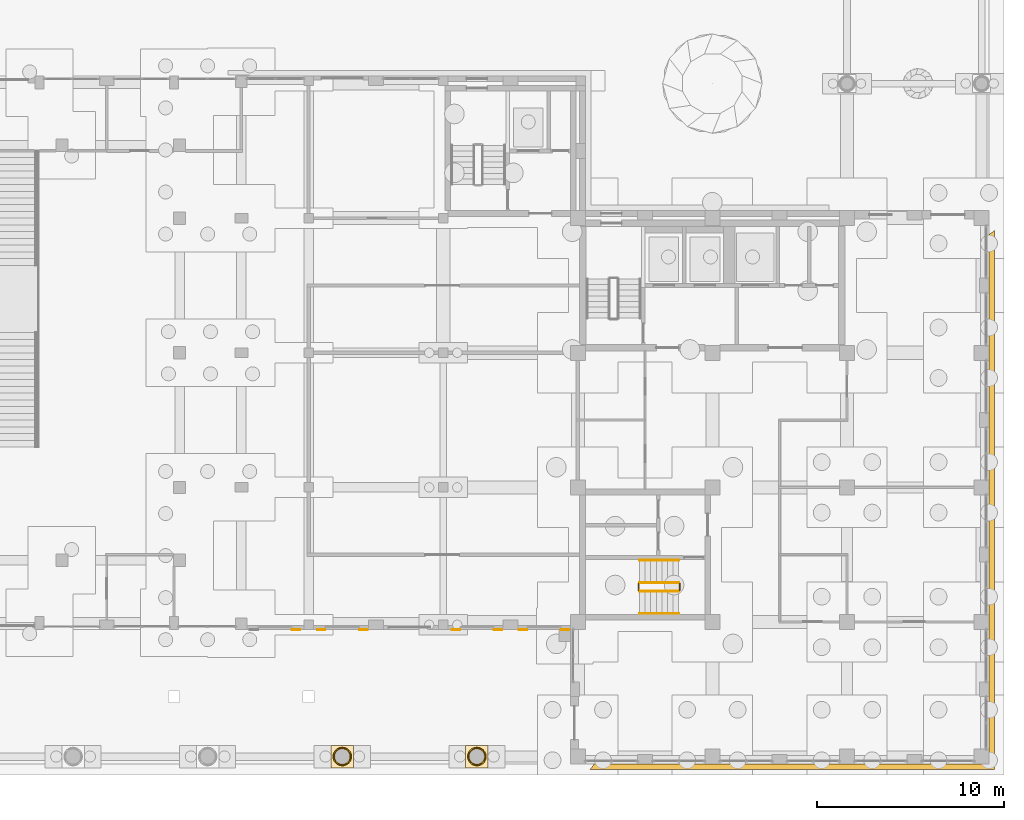
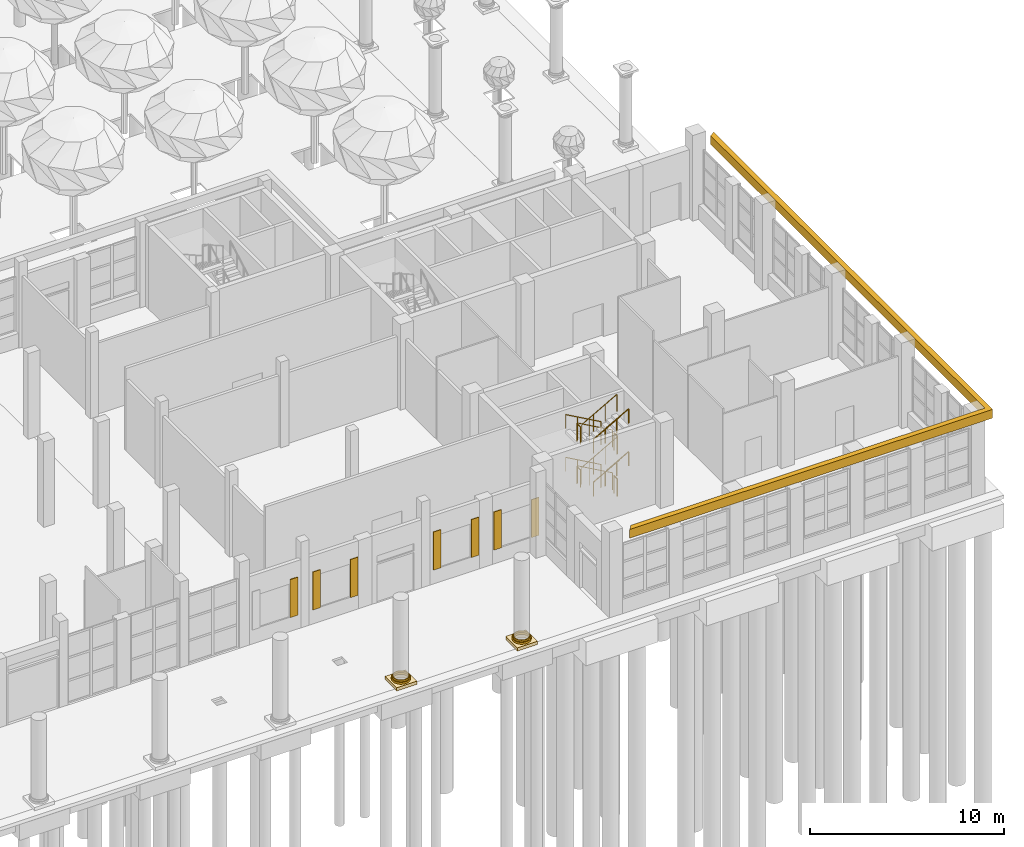
# One storey, part 62 of 80: 12 railings, 7 coverings, 7 shading devices.
"""IFC4 building model written with IfcOpenShell, lengths in metres."""

from ifc_helpers import new_model, si_unit, direction, frame, origin, origin_2d, place, context, subcontext, project, spatial, polyline, rectangle, circle, outline, extrude, material, layer, layer_set, type_object, element, save


model = new_model("IFC4")

# Units and contexts
model_context = context("Model", 3, precision=1e-05, world=origin(), true_north=direction((0.0, 1.0)))
body_context = subcontext(model_context, "Body", "Model", "MODEL_VIEW")
ifc_project = project(units=[si_unit("LENGTHUNIT", "METRE"), si_unit("AREAUNIT", "SQUARE_METRE"), si_unit("VOLUMEUNIT", "CUBIC_METRE"), si_unit("PLANEANGLEUNIT", "RADIAN"), si_unit("MASSUNIT", "GRAM", prefix="KILO")], contexts=[model_context])

# Site, building, storey
site_placement = place(None, origin())
site = spatial("IfcSite", under=ifc_project, at=site_placement, CompositionType="ELEMENT")
building_placement = place(site_placement, origin())
building = spatial("IfcBuilding", under=site, at=building_placement, Name="Ussher Court Research Institute", CompositionType="ELEMENT")
storey_placement = place(building_placement, origin())
storey = spatial("IfcBuildingStorey", under=building, at=storey_placement, Name="L00", CompositionType="ELEMENT", Elevation=0.0)

# Coverings
ifc_material_1 = material(Name="Limestone cornice", Category="masonry")
covering_type_1 = type_object("IfcCoveringType", Name="Column base fillet 800 896x100", PredefinedType="CLADDING", material=ifc_material_1)
covering_1_placement = place(storey_placement, frame((0.0, 0.0, 0.320068359375)))
element("IfcCovering", 1, at=covering_1_placement, inside=storey, type_object=covering_type_1, Name="Column base CC15", PredefinedType="CLADDING", context=body_context, shape_type="SweptSolid", body=[
    extrude(outline(polyline([(70.048095703125, 4.0), (70.044189453125, 4.05859375), (70.03271484375, 4.115966796875), (70.013916015625, 4.17138671875), (69.988037109375, 4.22412109375), (69.955322265625, 4.272705078125), (69.916748046875, 4.31689453125), (69.872802734375, 4.35546875), (69.823974609375, 4.387939453125), (69.771484375, 4.413818359375), (69.716064453125, 4.4326171875), (69.658447265625, 4.444091796875), (69.60009765625, 4.447998046875), (69.54150390625, 4.444091796875), (69.48388671875, 4.4326171875), (69.4287109375, 4.413818359375), (69.3759765625, 4.387939453125), (69.327392578125, 4.35546875), (69.283203125, 4.31689453125), (69.24462890625, 4.272705078125), (69.2119140625, 4.22412109375), (69.18603515625, 4.17138671875), (69.167236328125, 4.115966796875), (69.15576171875, 4.05859375), (69.152099609375, 4.0), (69.15576171875, 3.94140625), (69.167236328125, 3.884033203125), (69.18603515625, 3.82861328125), (69.2119140625, 3.77587890625), (69.24462890625, 3.727294921875), (69.283203125, 3.68310546875), (69.327392578125, 3.64453125), (69.3759765625, 3.612060546875), (69.4287109375, 3.586181640625), (69.48388671875, 3.5673828125), (69.54150390625, 3.555908203125), (69.60009765625, 3.552001953125), (69.658447265625, 3.555908203125), (69.716064453125, 3.5673828125), (69.771484375, 3.586181640625), (69.823974609375, 3.612060546875), (69.872802734375, 3.64453125), (69.916748046875, 3.68310546875), (69.955322265625, 3.727294921875), (69.988037109375, 3.77587890625), (70.013916015625, 3.82861328125), (70.03271484375, 3.884033203125), (70.044189453125, 3.94140625), (70.048095703125, 4.0)]), holes=[polyline([(70.0009765625, 4.0), (69.997314453125, 4.05224609375), (69.9873046875, 4.103759765625), (69.97021484375, 4.1533203125), (69.947265625, 4.200439453125), (69.91796875, 4.243896484375), (69.88330078125, 4.283447265625), (69.843994140625, 4.318115234375), (69.80029296875, 4.34716796875), (69.75341796875, 4.370361328125), (69.70361328125, 4.38720703125), (69.65234375, 4.3974609375), (69.60009765625, 4.40087890625), (69.547607421875, 4.3974609375), (69.496337890625, 4.38720703125), (69.446533203125, 4.370361328125), (69.399658203125, 4.34716796875), (69.35595703125, 4.318115234375), (69.316650390625, 4.283447265625), (69.281982421875, 4.243896484375), (69.252685546875, 4.200439453125), (69.229736328125, 4.1533203125), (69.212890625, 4.103759765625), (69.20263671875, 4.05224609375), (69.19921875, 4.0), (69.20263671875, 3.94775390625), (69.212890625, 3.896240234375), (69.229736328125, 3.8466796875), (69.252685546875, 3.799560546875), (69.281982421875, 3.756103515625), (69.316650390625, 3.716552734375), (69.35595703125, 3.681884765625), (69.399658203125, 3.65283203125), (69.446533203125, 3.629638671875), (69.496337890625, 3.61279296875), (69.547607421875, 3.6025390625), (69.60009765625, 3.59912109375), (69.65234375, 3.6025390625), (69.70361328125, 3.61279296875), (69.75341796875, 3.629638671875), (69.80029296875, 3.65283203125), (69.843994140625, 3.681884765625), (69.88330078125, 3.716552734375), (69.91796875, 3.756103515625), (69.947265625, 3.799560546875), (69.97021484375, 3.8466796875), (69.9873046875, 3.896240234375), (69.997314453125, 3.94775390625), (70.0009765625, 4.0)])]), origin(), (0.0, 0.0, 1.0), 0.099853515625),
])
covering_2_placement = place(storey_placement, frame((0.0, 0.0, 0.320068359375)))
element("IfcCovering", 2, at=covering_2_placement, inside=storey, type_object=covering_type_1, Name="Column base CC15", PredefinedType="CLADDING", context=body_context, shape_type="SweptSolid", body=[
    extrude(outline(polyline([(77.248046875, 4.0), (77.244140625, 4.05859375), (77.232666015625, 4.115966796875), (77.2138671875, 4.17138671875), (77.18798828125, 4.22412109375), (77.155517578125, 4.272705078125), (77.11669921875, 4.31689453125), (77.07275390625, 4.35546875), (77.02392578125, 4.387939453125), (76.971435546875, 4.413818359375), (76.916015625, 4.4326171875), (76.8583984375, 4.444091796875), (76.800048828125, 4.447998046875), (76.741455078125, 4.444091796875), (76.68408203125, 4.4326171875), (76.628662109375, 4.413818359375), (76.575927734375, 4.387939453125), (76.52734375, 4.35546875), (76.483154296875, 4.31689453125), (76.444580078125, 4.272705078125), (76.412109375, 4.22412109375), (76.385986328125, 4.17138671875), (76.3671875, 4.115966796875), (76.355712890625, 4.05859375), (76.35205078125, 4.0), (76.355712890625, 3.94140625), (76.3671875, 3.884033203125), (76.385986328125, 3.82861328125), (76.412109375, 3.77587890625), (76.444580078125, 3.727294921875), (76.483154296875, 3.68310546875), (76.52734375, 3.64453125), (76.575927734375, 3.612060546875), (76.628662109375, 3.586181640625), (76.68408203125, 3.5673828125), (76.741455078125, 3.555908203125), (76.800048828125, 3.552001953125), (76.8583984375, 3.555908203125), (76.916015625, 3.5673828125), (76.971435546875, 3.586181640625), (77.02392578125, 3.612060546875), (77.07275390625, 3.64453125), (77.11669921875, 3.68310546875), (77.155517578125, 3.727294921875), (77.18798828125, 3.77587890625), (77.2138671875, 3.82861328125), (77.232666015625, 3.884033203125), (77.244140625, 3.94140625), (77.248046875, 4.0)]), holes=[polyline([(77.200927734375, 4.0), (77.197509765625, 4.05224609375), (77.187255859375, 4.103759765625), (77.17041015625, 4.1533203125), (77.147216796875, 4.200439453125), (77.117919921875, 4.243896484375), (77.08349609375, 4.283447265625), (77.0439453125, 4.318115234375), (77.00048828125, 4.34716796875), (76.953369140625, 4.370361328125), (76.90380859375, 4.38720703125), (76.852294921875, 4.3974609375), (76.800048828125, 4.40087890625), (76.747802734375, 4.3974609375), (76.6962890625, 4.38720703125), (76.646484375, 4.370361328125), (76.599609375, 4.34716796875), (76.555908203125, 4.318115234375), (76.5166015625, 4.283447265625), (76.48193359375, 4.243896484375), (76.452880859375, 4.200439453125), (76.4296875, 4.1533203125), (76.412841796875, 4.103759765625), (76.402587890625, 4.05224609375), (76.399169921875, 4.0), (76.402587890625, 3.94775390625), (76.412841796875, 3.896240234375), (76.4296875, 3.8466796875), (76.452880859375, 3.799560546875), (76.48193359375, 3.756103515625), (76.5166015625, 3.716552734375), (76.555908203125, 3.681884765625), (76.599609375, 3.65283203125), (76.646484375, 3.629638671875), (76.6962890625, 3.61279296875), (76.747802734375, 3.6025390625), (76.800048828125, 3.59912109375), (76.852294921875, 3.6025390625), (76.90380859375, 3.61279296875), (76.953369140625, 3.629638671875), (77.00048828125, 3.65283203125), (77.0439453125, 3.681884765625), (77.08349609375, 3.716552734375), (77.117919921875, 3.756103515625), (77.147216796875, 3.799560546875), (77.17041015625, 3.8466796875), (77.187255859375, 3.896240234375), (77.197509765625, 3.94775390625), (77.200927734375, 4.0)])]), origin(), (0.0, 0.0, 1.0), 0.099853515625),
])
ifc_material_2 = material(Name="Limestone cornice", Category="masonry")
covering_type_2 = type_object("IfcCoveringType", Name="Column base torus 800 1000x120", PredefinedType="CLADDING", material=ifc_material_2)
covering_3_placement = place(storey_placement, frame((0.0, 0.0, 0.199951171875)))
element("IfcCovering", 3, at=covering_3_placement, inside=storey, type_object=covering_type_2, Name="Column base CC14", PredefinedType="CLADDING", context=body_context, shape_type="SweptSolid", body=[
    extrude(outline(polyline([(70.10009765625, 4.0), (70.095703125, 4.065185546875), (70.0830078125, 4.12939453125), (70.06201171875, 4.19140625), (70.032958984375, 4.25), (69.99658203125, 4.304443359375), (69.95361328125, 4.353515625), (69.904296875, 4.396728515625), (69.85009765625, 4.43310546875), (69.791259765625, 4.4619140625), (69.7294921875, 4.48291015625), (69.665283203125, 4.49560546875), (69.60009765625, 4.5), (69.53466796875, 4.49560546875), (69.470703125, 4.48291015625), (69.40869140625, 4.4619140625), (69.35009765625, 4.43310546875), (69.295654296875, 4.396728515625), (69.246337890625, 4.353515625), (69.203369140625, 4.304443359375), (69.1669921875, 4.25), (69.13818359375, 4.19140625), (69.116943359375, 4.12939453125), (69.104248046875, 4.065185546875), (69.10009765625, 4.0), (69.104248046875, 3.934814453125), (69.116943359375, 3.87060546875), (69.13818359375, 3.80859375), (69.1669921875, 3.75), (69.203369140625, 3.695556640625), (69.246337890625, 3.646484375), (69.295654296875, 3.603271484375), (69.35009765625, 3.56689453125), (69.40869140625, 3.5380859375), (69.470703125, 3.51708984375), (69.53466796875, 3.50439453125), (69.60009765625, 3.5), (69.665283203125, 3.50439453125), (69.7294921875, 3.51708984375), (69.791259765625, 3.5380859375), (69.85009765625, 3.56689453125), (69.904296875, 3.603271484375), (69.95361328125, 3.646484375), (69.99658203125, 3.695556640625), (70.032958984375, 3.75), (70.06201171875, 3.80859375), (70.0830078125, 3.87060546875), (70.095703125, 3.934814453125), (70.10009765625, 4.0)]), holes=[polyline([(70.0009765625, 4.0), (69.997314453125, 4.05224609375), (69.9873046875, 4.103759765625), (69.97021484375, 4.1533203125), (69.947265625, 4.200439453125), (69.91796875, 4.243896484375), (69.88330078125, 4.283447265625), (69.843994140625, 4.318115234375), (69.80029296875, 4.34716796875), (69.75341796875, 4.370361328125), (69.70361328125, 4.38720703125), (69.65234375, 4.3974609375), (69.60009765625, 4.40087890625), (69.547607421875, 4.3974609375), (69.496337890625, 4.38720703125), (69.446533203125, 4.370361328125), (69.399658203125, 4.34716796875), (69.35595703125, 4.318115234375), (69.316650390625, 4.283447265625), (69.281982421875, 4.243896484375), (69.252685546875, 4.200439453125), (69.229736328125, 4.1533203125), (69.212890625, 4.103759765625), (69.20263671875, 4.05224609375), (69.19921875, 4.0), (69.20263671875, 3.94775390625), (69.212890625, 3.896240234375), (69.229736328125, 3.8466796875), (69.252685546875, 3.799560546875), (69.281982421875, 3.756103515625), (69.316650390625, 3.716552734375), (69.35595703125, 3.681884765625), (69.399658203125, 3.65283203125), (69.446533203125, 3.629638671875), (69.496337890625, 3.61279296875), (69.547607421875, 3.6025390625), (69.60009765625, 3.59912109375), (69.65234375, 3.6025390625), (69.70361328125, 3.61279296875), (69.75341796875, 3.629638671875), (69.80029296875, 3.65283203125), (69.843994140625, 3.681884765625), (69.88330078125, 3.716552734375), (69.91796875, 3.756103515625), (69.947265625, 3.799560546875), (69.97021484375, 3.8466796875), (69.9873046875, 3.896240234375), (69.997314453125, 3.94775390625), (70.0009765625, 4.0)])]), origin(), (0.0, 0.0, 1.0), 0.1201171875),
])
covering_4_placement = place(storey_placement, frame((0.0, 0.0, 0.199951171875)))
element("IfcCovering", 4, at=covering_4_placement, inside=storey, type_object=covering_type_2, Name="Column base CC14", PredefinedType="CLADDING", context=body_context, shape_type="SweptSolid", body=[
    extrude(outline(polyline([(77.300048828125, 4.0), (77.295654296875, 4.065185546875), (77.282958984375, 4.12939453125), (77.261962890625, 4.19140625), (77.23291015625, 4.25), (77.19677734375, 4.304443359375), (77.153564453125, 4.353515625), (77.1044921875, 4.396728515625), (77.050048828125, 4.43310546875), (76.9912109375, 4.4619140625), (76.929443359375, 4.48291015625), (76.865234375, 4.49560546875), (76.800048828125, 4.5), (76.734619140625, 4.49560546875), (76.670654296875, 4.48291015625), (76.608642578125, 4.4619140625), (76.550048828125, 4.43310546875), (76.49560546875, 4.396728515625), (76.4462890625, 4.353515625), (76.4033203125, 4.304443359375), (76.366943359375, 4.25), (76.338134765625, 4.19140625), (76.31689453125, 4.12939453125), (76.30419921875, 4.065185546875), (76.300048828125, 4.0), (76.30419921875, 3.934814453125), (76.31689453125, 3.87060546875), (76.338134765625, 3.80859375), (76.366943359375, 3.75), (76.4033203125, 3.695556640625), (76.4462890625, 3.646484375), (76.49560546875, 3.603271484375), (76.550048828125, 3.56689453125), (76.608642578125, 3.5380859375), (76.670654296875, 3.51708984375), (76.734619140625, 3.50439453125), (76.800048828125, 3.5), (76.865234375, 3.50439453125), (76.929443359375, 3.51708984375), (76.9912109375, 3.5380859375), (77.050048828125, 3.56689453125), (77.1044921875, 3.603271484375), (77.153564453125, 3.646484375), (77.19677734375, 3.695556640625), (77.23291015625, 3.75), (77.261962890625, 3.80859375), (77.282958984375, 3.87060546875), (77.295654296875, 3.934814453125), (77.300048828125, 4.0)]), holes=[polyline([(77.200927734375, 4.0), (77.197509765625, 4.05224609375), (77.187255859375, 4.103759765625), (77.17041015625, 4.1533203125), (77.147216796875, 4.200439453125), (77.117919921875, 4.243896484375), (77.08349609375, 4.283447265625), (77.0439453125, 4.318115234375), (77.00048828125, 4.34716796875), (76.953369140625, 4.370361328125), (76.90380859375, 4.38720703125), (76.852294921875, 4.3974609375), (76.800048828125, 4.40087890625), (76.747802734375, 4.3974609375), (76.6962890625, 4.38720703125), (76.646484375, 4.370361328125), (76.599609375, 4.34716796875), (76.555908203125, 4.318115234375), (76.5166015625, 4.283447265625), (76.48193359375, 4.243896484375), (76.452880859375, 4.200439453125), (76.4296875, 4.1533203125), (76.412841796875, 4.103759765625), (76.402587890625, 4.05224609375), (76.399169921875, 4.0), (76.402587890625, 3.94775390625), (76.412841796875, 3.896240234375), (76.4296875, 3.8466796875), (76.452880859375, 3.799560546875), (76.48193359375, 3.756103515625), (76.5166015625, 3.716552734375), (76.555908203125, 3.681884765625), (76.599609375, 3.65283203125), (76.646484375, 3.629638671875), (76.6962890625, 3.61279296875), (76.747802734375, 3.6025390625), (76.800048828125, 3.59912109375), (76.852294921875, 3.6025390625), (76.90380859375, 3.61279296875), (76.953369140625, 3.629638671875), (77.00048828125, 3.65283203125), (77.0439453125, 3.681884765625), (77.08349609375, 3.716552734375), (77.117919921875, 3.756103515625), (77.147216796875, 3.799560546875), (77.17041015625, 3.8466796875), (77.187255859375, 3.896240234375), (77.197509765625, 3.94775390625), (77.200927734375, 4.0)])]), origin(), (0.0, 0.0, 1.0), 0.1201171875),
])
ifc_material_3 = material(Name="Limestone cornice", Category="masonry")
covering_type_3 = type_object("IfcCoveringType", Name="Column plinth 800 1200x200", PredefinedType="CLADDING", material=ifc_material_3)
covering_5_placement = place(storey_placement, origin())
element("IfcCovering", 5, at=covering_5_placement, inside=storey, type_object=covering_type_3, Name="Column base CC13", PredefinedType="CLADDING", context=body_context, shape_type="SweptSolid", body=[
    extrude(outline(polyline([(70.199951171875, 3.39990234375), (70.199951171875, 4.60009765625), (69.0, 4.60009765625), (69.0, 3.39990234375), (70.199951171875, 3.39990234375)]), holes=[polyline([(70.0009765625, 4.0), (69.997314453125, 4.05224609375), (69.9873046875, 4.103759765625), (69.97021484375, 4.1533203125), (69.947265625, 4.200439453125), (69.91796875, 4.243896484375), (69.88330078125, 4.283447265625), (69.843994140625, 4.318115234375), (69.80029296875, 4.34716796875), (69.75341796875, 4.370361328125), (69.70361328125, 4.38720703125), (69.65234375, 4.3974609375), (69.60009765625, 4.40087890625), (69.547607421875, 4.3974609375), (69.496337890625, 4.38720703125), (69.446533203125, 4.370361328125), (69.399658203125, 4.34716796875), (69.35595703125, 4.318115234375), (69.316650390625, 4.283447265625), (69.281982421875, 4.243896484375), (69.252685546875, 4.200439453125), (69.229736328125, 4.1533203125), (69.212890625, 4.103759765625), (69.20263671875, 4.05224609375), (69.19921875, 4.0), (69.20263671875, 3.94775390625), (69.212890625, 3.896240234375), (69.229736328125, 3.8466796875), (69.252685546875, 3.799560546875), (69.281982421875, 3.756103515625), (69.316650390625, 3.716552734375), (69.35595703125, 3.681884765625), (69.399658203125, 3.65283203125), (69.446533203125, 3.629638671875), (69.496337890625, 3.61279296875), (69.547607421875, 3.6025390625), (69.60009765625, 3.59912109375), (69.65234375, 3.6025390625), (69.70361328125, 3.61279296875), (69.75341796875, 3.629638671875), (69.80029296875, 3.65283203125), (69.843994140625, 3.681884765625), (69.88330078125, 3.716552734375), (69.91796875, 3.756103515625), (69.947265625, 3.799560546875), (69.97021484375, 3.8466796875), (69.9873046875, 3.896240234375), (69.997314453125, 3.94775390625), (70.0009765625, 4.0)])]), origin(), (0.0, 0.0, 1.0), 0.199951171875),
])
covering_6_placement = place(storey_placement, origin())
element("IfcCovering", 6, at=covering_6_placement, inside=storey, type_object=covering_type_3, Name="Column base CC13", PredefinedType="CLADDING", context=body_context, shape_type="SweptSolid", body=[
    extrude(outline(polyline([(77.39990234375, 3.39990234375), (77.39990234375, 4.60009765625), (76.199951171875, 4.60009765625), (76.199951171875, 3.39990234375), (77.39990234375, 3.39990234375)]), holes=[polyline([(77.200927734375, 4.0), (77.197509765625, 4.05224609375), (77.187255859375, 4.103759765625), (77.17041015625, 4.1533203125), (77.147216796875, 4.200439453125), (77.117919921875, 4.243896484375), (77.08349609375, 4.283447265625), (77.0439453125, 4.318115234375), (77.00048828125, 4.34716796875), (76.953369140625, 4.370361328125), (76.90380859375, 4.38720703125), (76.852294921875, 4.3974609375), (76.800048828125, 4.40087890625), (76.747802734375, 4.3974609375), (76.6962890625, 4.38720703125), (76.646484375, 4.370361328125), (76.599609375, 4.34716796875), (76.555908203125, 4.318115234375), (76.5166015625, 4.283447265625), (76.48193359375, 4.243896484375), (76.452880859375, 4.200439453125), (76.4296875, 4.1533203125), (76.412841796875, 4.103759765625), (76.402587890625, 4.05224609375), (76.399169921875, 4.0), (76.402587890625, 3.94775390625), (76.412841796875, 3.896240234375), (76.4296875, 3.8466796875), (76.452880859375, 3.799560546875), (76.48193359375, 3.756103515625), (76.5166015625, 3.716552734375), (76.555908203125, 3.681884765625), (76.599609375, 3.65283203125), (76.646484375, 3.629638671875), (76.6962890625, 3.61279296875), (76.747802734375, 3.6025390625), (76.800048828125, 3.59912109375), (76.852294921875, 3.6025390625), (76.90380859375, 3.61279296875), (76.953369140625, 3.629638671875), (77.00048828125, 3.65283203125), (77.0439453125, 3.681884765625), (77.08349609375, 3.716552734375), (77.117919921875, 3.756103515625), (77.147216796875, 3.799560546875), (77.17041015625, 3.8466796875), (77.187255859375, 3.896240234375), (77.197509765625, 3.94775390625), (77.200927734375, 4.0)])]), origin(), (0.0, 0.0, 1.0), 0.199951171875),
])

# Shading devices
ifc_material_4 = material(Name="Timber louvred shutter", Category="wood")
ifc_layer = layer(ifc_material_4, 0.0400390625)
ifc_layer_set = layer_set([ifc_layer], Name="Timber louvred shutter")
shading_device_type = type_object("IfcShadingDeviceType", Name="Louvred shutter leaf 450x2400", PredefinedType="USERDEFINED", material=ifc_layer_set)
for number, where, z_axis, x_axis, name in (
    (7, (81.52490234375, 10.780029296875, 0.900146484375), (0.0, 0.0, 1.0), (-1.0, 0.0, 0.0), "Shutter LV2 L00"),
    (8, (79.27490234375, 10.780029296875, 0.900146484375), (0.0, 0.0, 1.0), (-1.0, 0.0, 0.0), "Shutter LV2 L00"),
    (9, (77.925048828125, 10.780029296875, 0.900146484375), (0.0, 0.0, 1.0), (-1.0, 0.0, 0.0), "Shutter LV2 L00"),
    (10, (75.675048828125, 10.780029296875, 0.900146484375), (0.0, 0.0, 1.0), (-1.0, 0.0, 0.0), "Shutter LV2 L00"),
    (11, (70.72509765625, 10.780029296875, 0.900146484375), (0.0, 0.0, 1.0), (-1.0, 0.0, 0.0), "Shutter LV2 L00"),
    (12, (68.47509765625, 10.780029296875, 0.900146484375), (0.0, 0.0, 1.0), (-1.0, 0.0, 0.0), "Shutter LV2 L00"),
    (13, (67.125, 10.780029296875, 0.900146484375), (0.0, 0.0, 1.0), (-1.0, 0.0, 0.0), "Shutter LV2 L00"),
):
    element("IfcShadingDevice", number, at=place(storey_placement, frame(where, z_axis=z_axis, x_axis=x_axis)), inside=storey, type_object=shading_device_type, Name=name, ObjectType="SHUTTER", PredefinedType="USERDEFINED", context=body_context, shape_type="SweptSolid", body=[
        extrude(rectangle(XDim=0.449951171875, YDim=0.0400390625, at=origin_2d()), origin(), (0.0, 0.0, 1.0), 2.39990234375),
    ])

# Railings
ifc_material_5 = material(Name="Painted steel balustrade", Category="steel")
railing_type_1 = type_object("IfcRailingType", Name="Stair guard 1100 steel balustrade", PredefinedType="GUARDRAIL", material=ifc_material_5)
railing_1_placement = place(storey_placement, frame((87.60009765625, 13.300048828125, 0.168701171875)))
element("IfcRailing", 14, at=railing_1_placement, inside=storey, type_object=railing_type_1, Name="L00 T2 stair guard 1", PredefinedType="GUARDRAIL", context=body_context, shape_type="SweptSolid", body=[
    extrude(circle(Radius=0.02392578125, at=origin_2d()), frame((0.0, 0.0, 1.076171875), z_axis=(-0.871559301308, 0.0, 0.490290102189), x_axis=(0.0, -1.0, 0.0)), (0.0, 0.0, 1.0), 2.40966796875),
    extrude(circle(Radius=0.02099609375, at=origin_2d()), origin(), (0.0, 0.0, 1.0), 1.052001953125),
    extrude(circle(Radius=0.02099609375, at=origin_2d()), frame((-0.699951171875, 0.0, 0.393798828125)), (0.0, 0.0, 1.0), 1.052001953125),
    extrude(circle(Radius=0.02099609375, at=origin_2d()), frame((-1.400146484375, 0.0, 0.78759765625)), (0.0, 0.0, 1.0), 1.052001953125),
    extrude(circle(Radius=0.02099609375, at=origin_2d()), frame((-2.10009765625, 0.0, 1.181396484375)), (0.0, 0.0, 1.0), 1.052001953125),
])
railing_2_placement = place(storey_placement, frame((85.449951171875, 13.25, 1.35009765625)))
element("IfcRailing", 15, at=railing_2_placement, inside=storey, type_object=railing_type_1, Name="L00 T2 stair guard 2", PredefinedType="GUARDRAIL", context=body_context, shape_type="SweptSolid", body=[
    extrude(circle(Radius=0.02392578125, at=origin_2d()), frame((0.0, 0.0, 1.076171875), z_axis=(0.0, -1.0, 0.0), x_axis=(1.0, 0.0, 0.0)), (0.0, 0.0, 1.0), 0.35009765625),
    extrude(circle(Radius=0.02099609375, at=origin_2d()), origin(), (0.0, 0.0, 1.0), 1.052001953125),
    extrude(circle(Radius=0.02099609375, at=origin_2d()), frame((0.0, -0.35009765625, 0.0)), (0.0, 0.0, 1.0), 1.052001953125),
])
railing_3_placement = place(storey_placement, frame((85.5, 12.85009765625, 1.518798828125)))
element("IfcRailing", 16, at=railing_3_placement, inside=storey, type_object=railing_type_1, Name="L00 T2 stair guard 3", PredefinedType="GUARDRAIL", context=body_context, shape_type="SweptSolid", body=[
    extrude(circle(Radius=0.02392578125, at=origin_2d()), frame((0.0, 0.0, 1.076171875), z_axis=(0.871602596039, 0.0, 0.490213131788), x_axis=(0.0, 1.0, 0.0)), (0.0, 0.0, 1.0), 2.409423828125),
    extrude(circle(Radius=0.02099609375, at=origin_2d()), origin(), (0.0, 0.0, 1.0), 1.052001953125),
    extrude(circle(Radius=0.02099609375, at=origin_2d()), frame((0.699951171875, 0.0, 0.393798828125)), (0.0, 0.0, 1.0), 1.052001953125),
    extrude(circle(Radius=0.02099609375, at=origin_2d()), frame((1.400146484375, 0.0, 0.787353515625)), (0.0, 0.0, 1.0), 1.052001953125),
    extrude(circle(Radius=0.02099609375, at=origin_2d()), frame((2.10009765625, 0.0, 1.18115234375)), (0.0, 0.0, 1.0), 1.052001953125),
])
railing_4_placement = place(storey_placement, frame((87.64990234375, 13.25, 2.699951171875)))
element("IfcRailing", 17, at=railing_4_placement, inside=storey, type_object=railing_type_1, Name="L00 T2 stair guard 4", PredefinedType="GUARDRAIL", context=body_context, shape_type="SweptSolid", body=[
    extrude(circle(Radius=0.02392578125, at=origin_2d()), frame((0.0, 0.0, 1.076171875), z_axis=(0.0, -1.0, 0.0), x_axis=(1.0, 0.0, 0.0)), (0.0, 0.0, 1.0), 0.35009765625),
    extrude(circle(Radius=0.02099609375, at=origin_2d()), origin(), (0.0, 0.0, 1.0), 1.052001953125),
    extrude(circle(Radius=0.02099609375, at=origin_2d()), frame((0.0, -0.35009765625, 0.0)), (0.0, 0.0, 1.0), 1.052001953125),
])
railing_5_placement = place(storey_placement, frame((87.60009765625, 13.300048828125, 2.86865234375)))
element("IfcRailing", 18, at=railing_5_placement, inside=storey, type_object=railing_type_1, Name="L00 T2 stair guard 5", PredefinedType="GUARDRAIL", context=body_context, shape_type="SweptSolid", body=[
    extrude(circle(Radius=0.02392578125, at=origin_2d()), frame((0.0, 0.0, 1.076171875), z_axis=(-0.871559301308, 0.0, 0.490290102189), x_axis=(0.0, -1.0, 0.0)), (0.0, 0.0, 1.0), 2.40966796875),
    extrude(circle(Radius=0.02099609375, at=origin_2d()), origin(), (0.0, 0.0, 1.0), 1.052001953125),
    extrude(circle(Radius=0.02099609375, at=origin_2d()), frame((-0.699951171875, 0.0, 0.393798828125)), (0.0, 0.0, 1.0), 1.052001953125),
    extrude(circle(Radius=0.02099609375, at=origin_2d()), frame((-1.400146484375, 0.0, 0.78759765625)), (0.0, 0.0, 1.0), 1.052001953125),
    extrude(circle(Radius=0.02099609375, at=origin_2d()), frame((-2.10009765625, 0.0, 1.181396484375)), (0.0, 0.0, 1.0), 1.052001953125),
])
railing_6_placement = place(storey_placement, frame((85.449951171875, 13.25, 4.050048828125)))
element("IfcRailing", 19, at=railing_6_placement, inside=storey, type_object=railing_type_1, Name="L00 T2 stair guard 6", PredefinedType="GUARDRAIL", context=body_context, shape_type="SweptSolid", body=[
    extrude(circle(Radius=0.02392578125, at=origin_2d()), frame((0.0, 0.0, 1.076171875), z_axis=(0.0, -1.0, 0.0), x_axis=(1.0, 0.0, 0.0)), (0.0, 0.0, 1.0), 0.35009765625),
    extrude(circle(Radius=0.02099609375, at=origin_2d()), origin(), (0.0, 0.0, 1.0), 1.052001953125),
    extrude(circle(Radius=0.02099609375, at=origin_2d()), frame((0.0, -0.35009765625, 0.0)), (0.0, 0.0, 1.0), 1.052001953125),
])
railing_7_placement = place(storey_placement, frame((85.5, 12.85009765625, 4.21875)))
element("IfcRailing", 20, at=railing_7_placement, inside=storey, type_object=railing_type_1, Name="L00 T2 stair guard 7", PredefinedType="GUARDRAIL", context=body_context, shape_type="SweptSolid", body=[
    extrude(circle(Radius=0.02392578125, at=origin_2d()), frame((0.0, 0.0, 1.076171875), z_axis=(0.871602596039, 0.0, 0.490213131788), x_axis=(0.0, 1.0, 0.0)), (0.0, 0.0, 1.0), 2.409423828125),
    extrude(circle(Radius=0.02099609375, at=origin_2d()), origin(), (0.0, 0.0, 1.0), 1.052001953125),
    extrude(circle(Radius=0.02099609375, at=origin_2d()), frame((0.699951171875, 0.0, 0.393798828125)), (0.0, 0.0, 1.0), 1.052001953125),
    extrude(circle(Radius=0.02099609375, at=origin_2d()), frame((1.400146484375, 0.0, 0.787353515625)), (0.0, 0.0, 1.0), 1.052001953125),
    extrude(circle(Radius=0.02099609375, at=origin_2d()), frame((2.10009765625, 0.0, 1.18115234375)), (0.0, 0.0, 1.0), 1.052001953125),
])
railing_8_placement = place(storey_placement, frame((87.64990234375, 13.25, 0.0)))
element("IfcRailing", 21, at=railing_8_placement, inside=storey, type_object=railing_type_1, Name="L00 T2 stair guard 8", PredefinedType="GUARDRAIL", context=body_context, shape_type="SweptSolid", body=[
    extrude(circle(Radius=0.02392578125, at=origin_2d()), frame((0.0, 0.0, 1.076171875), z_axis=(0.0, -1.0, 0.0), x_axis=(1.0, 0.0, 0.0)), (0.0, 0.0, 1.0), 0.35009765625),
    extrude(circle(Radius=0.02099609375, at=origin_2d()), origin(), (0.0, 0.0, 1.0), 1.052001953125),
    extrude(circle(Radius=0.02099609375, at=origin_2d()), frame((0.0, -0.35009765625, 0.0)), (0.0, 0.0, 1.0), 1.052001953125),
])
ifc_material_6 = material(Name="Painted steel handrail", Category="steel")
railing_type_2 = type_object("IfcRailingType", Name="Stair handrail 900 steel", PredefinedType="HANDRAIL", material=ifc_material_6)
railing_9_placement = place(storey_placement, frame((87.60009765625, 14.5, 0.168701171875)))
element("IfcRailing", 22, at=railing_9_placement, inside=storey, type_object=railing_type_2, Name="L00 T2 stair handrail 1", PredefinedType="HANDRAIL", context=body_context, shape_type="SweptSolid", body=[
    extrude(circle(Radius=0.02392578125, at=origin_2d()), frame((0.0, 0.0, 0.8759765625), z_axis=(-0.871559301308, 0.0, 0.490290102189), x_axis=(0.0, -1.0, 0.0)), (0.0, 0.0, 1.0), 2.40966796875),
    extrude(circle(Radius=0.02099609375, at=origin_2d()), origin(), (0.0, 0.0, 1.0), 0.851806640625),
    extrude(circle(Radius=0.02099609375, at=origin_2d()), frame((-0.699951171875, 0.0, 0.393798828125)), (0.0, 0.0, 1.0), 0.851806640625),
    extrude(circle(Radius=0.02099609375, at=origin_2d()), frame((-1.400146484375, 0.0, 0.78759765625)), (0.0, 0.0, 1.0), 0.851806640625),
    extrude(circle(Radius=0.02099609375, at=origin_2d()), frame((-2.10009765625, 0.0, 1.181396484375)), (0.0, 0.0, 1.0), 0.851806640625),
])
railing_10_placement = place(storey_placement, frame((85.5, 11.64990234375, 1.518798828125)))
element("IfcRailing", 23, at=railing_10_placement, inside=storey, type_object=railing_type_2, Name="L00 T2 stair handrail 2", PredefinedType="HANDRAIL", context=body_context, shape_type="SweptSolid", body=[
    extrude(circle(Radius=0.02392578125, at=origin_2d()), frame((0.0, 0.0, 0.8759765625), z_axis=(0.871602596039, 0.0, 0.490213131788), x_axis=(0.0, 1.0, 0.0)), (0.0, 0.0, 1.0), 2.409423828125),
    extrude(circle(Radius=0.02099609375, at=origin_2d()), origin(), (0.0, 0.0, 1.0), 0.851806640625),
    extrude(circle(Radius=0.02099609375, at=origin_2d()), frame((0.699951171875, 0.0, 0.393798828125)), (0.0, 0.0, 1.0), 0.851806640625),
    extrude(circle(Radius=0.02099609375, at=origin_2d()), frame((1.400146484375, 0.0, 0.787353515625)), (0.0, 0.0, 1.0), 0.851806640625),
    extrude(circle(Radius=0.02099609375, at=origin_2d()), frame((2.10009765625, 0.0, 1.18115234375)), (0.0, 0.0, 1.0), 0.851806640625),
])
railing_11_placement = place(storey_placement, frame((87.60009765625, 14.5, 2.86865234375)))
element("IfcRailing", 24, at=railing_11_placement, inside=storey, type_object=railing_type_2, Name="L00 T2 stair handrail 3", PredefinedType="HANDRAIL", context=body_context, shape_type="SweptSolid", body=[
    extrude(circle(Radius=0.02392578125, at=origin_2d()), frame((0.0, 0.0, 0.8759765625), z_axis=(-0.871559301308, 0.0, 0.490290102189), x_axis=(0.0, -1.0, 0.0)), (0.0, 0.0, 1.0), 2.40966796875),
    extrude(circle(Radius=0.02099609375, at=origin_2d()), origin(), (0.0, 0.0, 1.0), 0.851806640625),
    extrude(circle(Radius=0.02099609375, at=origin_2d()), frame((-0.699951171875, 0.0, 0.393798828125)), (0.0, 0.0, 1.0), 0.851806640625),
    extrude(circle(Radius=0.02099609375, at=origin_2d()), frame((-1.400146484375, 0.0, 0.78759765625)), (0.0, 0.0, 1.0), 0.851806640625),
    extrude(circle(Radius=0.02099609375, at=origin_2d()), frame((-2.10009765625, 0.0, 1.181396484375)), (0.0, 0.0, 1.0), 0.851806640625),
])
railing_12_placement = place(storey_placement, frame((85.5, 11.64990234375, 4.21875)))
element("IfcRailing", 25, at=railing_12_placement, inside=storey, type_object=railing_type_2, Name="L00 T2 stair handrail 4", PredefinedType="HANDRAIL", context=body_context, shape_type="SweptSolid", body=[
    extrude(circle(Radius=0.02392578125, at=origin_2d()), frame((0.0, 0.0, 0.8759765625), z_axis=(0.871602596039, 0.0, 0.490213131788), x_axis=(0.0, 1.0, 0.0)), (0.0, 0.0, 1.0), 2.409423828125),
    extrude(circle(Radius=0.02099609375, at=origin_2d()), origin(), (0.0, 0.0, 1.0), 0.851806640625),
    extrude(circle(Radius=0.02099609375, at=origin_2d()), frame((0.699951171875, 0.0, 0.393798828125)), (0.0, 0.0, 1.0), 0.851806640625),
    extrude(circle(Radius=0.02099609375, at=origin_2d()), frame((1.400146484375, 0.0, 0.787353515625)), (0.0, 0.0, 1.0), 0.851806640625),
    extrude(circle(Radius=0.02099609375, at=origin_2d()), frame((2.10009765625, 0.0, 1.18115234375)), (0.0, 0.0, 1.0), 0.851806640625),
])

# Covering
ifc_material_7 = material(Name="Limestone cornice", Category="masonry")
covering_type_4 = type_object("IfcCoveringType", Name="String course 300x550", PredefinedType="CLADDING", material=ifc_material_7)
covering_7_placement = place(storey_placement, frame((0.0, 0.0, 4.85009765625)))
element("IfcCovering", 26, at=covering_7_placement, inside=storey, type_object=covering_type_4, Name="String course CC4", PredefinedType="CLADDING", context=body_context, shape_type="SweptSolid", body=[
    extrude(outline(polyline([(82.84130859375, 3.300048828125), (104.5, 3.300048828125), (104.5, 32.15869140625), (104.47216796875, 32.1279296875), (104.403076171875, 32.065185546875), (104.328125, 32.009765625), (104.248046875, 31.961669921875), (104.199951171875, 31.93896484375), (104.199951171875, 3.60009765625), (83.06103515625, 3.60009765625), (83.038330078125, 3.552001953125), (82.990234375, 3.471923828125), (82.934814453125, 3.39697265625), (82.8720703125, 3.327880859375), (82.84130859375, 3.300048828125)])), origin(), (0.0, 0.0, 1.0), 0.5498046875),
])

save(model, "model.ifc")
